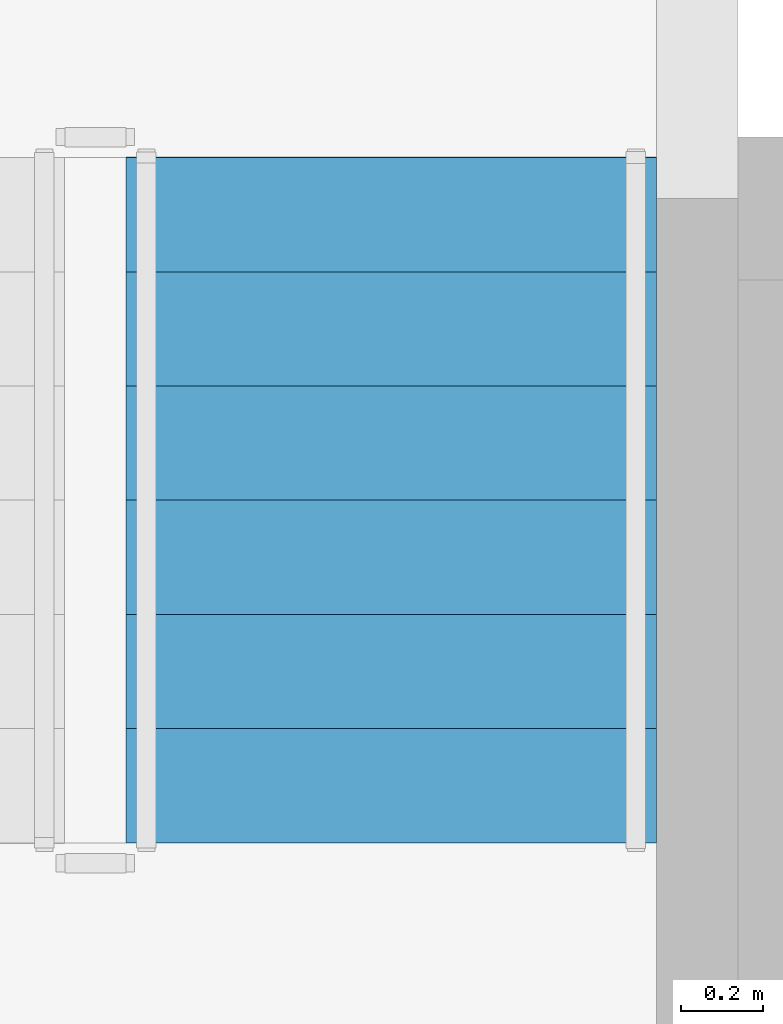
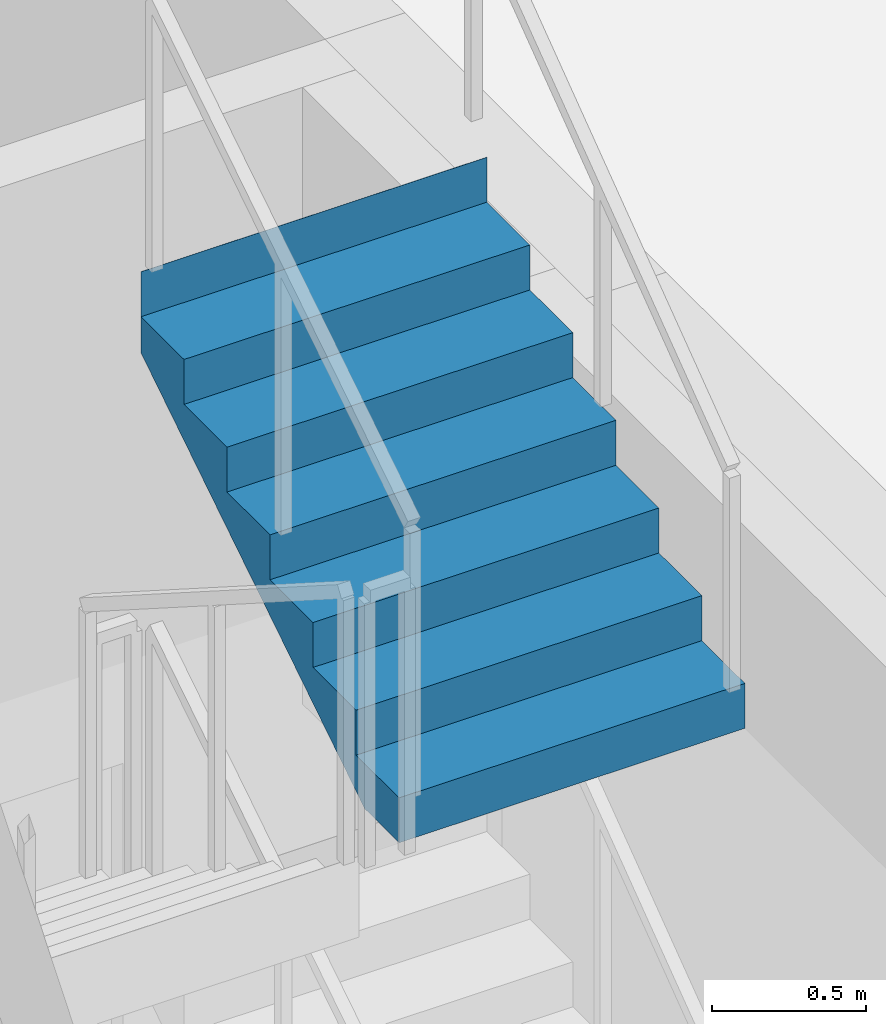
# One storey, part 47 of 57: 1 stair flight, 1 element without a shape of its own.
"""IFC4 building model written with IfcOpenShell, lengths in metres."""

from ifc_helpers import new_model, si_unit, direction, frame, origin, place, context, subcontext, project, spatial, triangles, material, type_object, element, aggregate, save


model = new_model("IFC4")

# Units and contexts
model_context = context("Model", 3, precision=1e-05, world=origin(), true_north=direction((0.0, 1.0)))
body_context = subcontext(model_context, "Body", "Model", "MODEL_VIEW")
ifc_project = project(units=[si_unit("LENGTHUNIT", "METRE"), si_unit("AREAUNIT", "SQUARE_METRE"), si_unit("VOLUMEUNIT", "CUBIC_METRE"), si_unit("PLANEANGLEUNIT", "RADIAN"), si_unit("MASSUNIT", "GRAM", prefix="KILO")], contexts=[model_context])

# Site, building, storey
site_placement = place(None, origin())
site = spatial("IfcSite", under=ifc_project, at=site_placement, CompositionType="ELEMENT")
building_placement = place(site_placement, origin())
building = spatial("IfcBuilding", under=site, at=building_placement, Name="Beryl Residences", CompositionType="ELEMENT")
storey_placement = place(building_placement, origin())
storey = spatial("IfcBuildingStorey", under=building, at=storey_placement, Name="L00", CompositionType="ELEMENT", Elevation=0.0)

# Stair, stair flight
ifc_material_1 = material(Name="Concrete C40/50", Category="concrete")
stair_type = type_object("IfcStairType", Name="ST1 protected exit stair, half-turn, 1300 mm flights", PredefinedType="HALF_TURN_STAIR", material=ifc_material_1)
stair_placement = place(storey_placement, origin())
stair = element("IfcStair", 1, at=stair_placement, inside=storey, type_object=stair_type, Name="L00 Podium exit stair 5", PredefinedType="HALF_TURN_STAIR")
ifc_material_2 = material(Name="Concrete C40/50", Category="concrete")
stair_flight_type = type_object("IfcStairFlightType", Name="SF1 stair flight 1300 mm", PredefinedType="STRAIGHT", material=ifc_material_2)
stair_flight_placement = place(storey_placement, frame((46.85009765625, 22.02001953125, 3.75), z_axis=(0.0, 0.0, 1.0), x_axis=(0.0, 1.0, 0.0)))
stair_flight = element("IfcStairFlight", 2, at=stair_flight_placement, type_object=stair_flight_type, Name="PS-5 flight 4", NumberOfRisers=7, NumberOfTreads=6, PredefinedType="STRAIGHT", RiserHeight=0.178571429, TreadLength=0.28, context=body_context, shape_type="Tessellation", body=[
    triangles([(0.0, -0.64990234375, 0.0), (0.0, -0.324951171875, 0.0), (0.0, 0.0, 0.0), (0.0, 0.324951171875, 0.0), (0.0, 0.64990234375, 0.0), (0.0, -0.64990234375, 0.178466796875), (0.0, -0.324951171875, 0.178466796875), (0.0, 0.0, 0.178466796875), (0.0, 0.324951171875, 0.178466796875), (0.0, 0.64990234375, 0.178466796875), (0.280029296875, -0.64990234375, 0.178466796875), (0.280029296875, -0.324951171875, 0.178466796875), (0.280029296875, 0.0, 0.178466796875), (0.280029296875, 0.324951171875, 0.178466796875), (0.280029296875, 0.64990234375, 0.178466796875), (0.280029296875, -0.64990234375, 0.357177734375), (0.280029296875, -0.324951171875, 0.357177734375), (0.280029296875, 0.0, 0.357177734375), (0.280029296875, 0.324951171875, 0.357177734375), (0.280029296875, 0.64990234375, 0.357177734375), (0.56005859375, -0.64990234375, 0.357177734375), (0.56005859375, -0.324951171875, 0.357177734375), (0.56005859375, 0.0, 0.357177734375), (0.56005859375, 0.324951171875, 0.357177734375), (0.56005859375, 0.64990234375, 0.357177734375), (0.56005859375, -0.64990234375, 0.53564453125), (0.56005859375, -0.324951171875, 0.53564453125), (0.56005859375, 0.0, 0.53564453125), (0.56005859375, 0.324951171875, 0.53564453125), (0.56005859375, 0.64990234375, 0.53564453125), (0.840087890625, -0.64990234375, 0.53564453125), (0.840087890625, -0.324951171875, 0.53564453125), (0.840087890625, 0.0, 0.53564453125), (0.840087890625, 0.324951171875, 0.53564453125), (0.840087890625, 0.64990234375, 0.53564453125), (0.840087890625, -0.64990234375, 0.71435546875), (0.840087890625, -0.324951171875, 0.71435546875), (0.840087890625, 0.0, 0.71435546875), (0.840087890625, 0.324951171875, 0.71435546875), (0.840087890625, 0.64990234375, 0.71435546875), (1.1201171875, -0.64990234375, 0.71435546875), (1.1201171875, -0.324951171875, 0.71435546875), (1.1201171875, 0.0, 0.71435546875), (1.1201171875, 0.324951171875, 0.71435546875), (1.1201171875, 0.64990234375, 0.71435546875), (1.1201171875, -0.64990234375, 0.892822265625), (1.1201171875, -0.324951171875, 0.892822265625), (1.1201171875, 0.0, 0.892822265625), (1.1201171875, 0.324951171875, 0.892822265625), (1.1201171875, 0.64990234375, 0.892822265625), (1.39990234375, -0.64990234375, 0.892822265625), (1.39990234375, -0.324951171875, 0.892822265625), (1.39990234375, 0.0, 0.892822265625), (1.39990234375, 0.324951171875, 0.892822265625), (1.39990234375, 0.64990234375, 0.892822265625), (1.39990234375, -0.64990234375, 1.071533203125), (1.39990234375, -0.324951171875, 1.071533203125), (1.39990234375, 0.0, 1.071533203125), (1.39990234375, 0.324951171875, 1.071533203125), (1.39990234375, 0.64990234375, 1.071533203125), (1.679931640625, -0.64990234375, 1.071533203125), (1.679931640625, -0.324951171875, 1.071533203125), (1.679931640625, 0.0, 1.071533203125), (1.679931640625, 0.324951171875, 1.071533203125), (1.679931640625, 0.64990234375, 1.071533203125), (1.679931640625, -0.64990234375, 1.25), (1.679931640625, -0.324951171875, 1.25), (1.679931640625, 0.0, 1.25), (1.679931640625, 0.324951171875, 1.25), (1.679931640625, 0.64990234375, 1.25), (1.680908203125, -0.64990234375, 1.25), (1.680908203125, -0.324951171875, 1.25), (1.680908203125, 0.0, 1.25), (1.680908203125, 0.324951171875, 1.25), (1.680908203125, 0.64990234375, 1.25), (1.680908203125, -0.64990234375, 0.928955078125), (1.680908203125, -0.324951171875, 0.928955078125), (1.680908203125, 0.0, 0.928955078125), (1.680908203125, 0.324951171875, 0.928955078125), (1.680908203125, 0.64990234375, 0.928955078125), (0.224365234375, -0.64990234375, 0.0), (0.224365234375, -0.324951171875, 0.0), (0.224365234375, 0.0, 0.0), (0.224365234375, 0.324951171875, 0.0), (0.224365234375, 0.64990234375, 0.0)], [[1, 6, 7], [1, 7, 2], [2, 7, 8], [2, 8, 3], [3, 8, 9], [3, 9, 4], [4, 9, 10], [4, 10, 5], [6, 11, 12], [6, 12, 7], [7, 12, 13], [7, 13, 8], [8, 13, 14], [8, 14, 9], [9, 14, 15], [9, 15, 10], [11, 16, 17], [11, 17, 12], [12, 17, 18], [12, 18, 13], [13, 18, 19], [13, 19, 14], [14, 19, 20], [14, 20, 15], [16, 21, 22], [16, 22, 17], [17, 22, 23], [17, 23, 18], [18, 23, 24], [18, 24, 19], [19, 24, 25], [19, 25, 20], [21, 26, 27], [21, 27, 22], [22, 27, 28], [22, 28, 23], [23, 28, 29], [23, 29, 24], [24, 29, 30], [24, 30, 25], [26, 31, 32], [26, 32, 27], [27, 32, 33], [27, 33, 28], [28, 33, 34], [28, 34, 29], [29, 34, 35], [29, 35, 30], [31, 36, 37], [31, 37, 32], [32, 37, 38], [32, 38, 33], [33, 38, 39], [33, 39, 34], [34, 39, 40], [34, 40, 35], [36, 41, 42], [36, 42, 37], [37, 42, 43], [37, 43, 38], [38, 43, 44], [38, 44, 39], [39, 44, 45], [39, 45, 40], [41, 46, 47], [41, 47, 42], [42, 47, 48], [42, 48, 43], [43, 48, 49], [43, 49, 44], [44, 49, 50], [44, 50, 45], [46, 51, 52], [46, 52, 47], [47, 52, 53], [47, 53, 48], [48, 53, 54], [48, 54, 49], [49, 54, 55], [49, 55, 50], [51, 56, 57], [51, 57, 52], [52, 57, 58], [52, 58, 53], [53, 58, 59], [53, 59, 54], [54, 59, 60], [54, 60, 55], [56, 61, 62], [56, 62, 57], [57, 62, 63], [57, 63, 58], [58, 63, 64], [58, 64, 59], [59, 64, 65], [59, 65, 60], [61, 66, 67], [61, 67, 62], [62, 67, 68], [62, 68, 63], [63, 68, 69], [63, 69, 64], [64, 69, 70], [64, 70, 65], [66, 71, 72], [66, 72, 67], [67, 72, 73], [67, 73, 68], [68, 73, 74], [68, 74, 69], [69, 74, 75], [69, 75, 70], [71, 76, 77], [71, 77, 72], [72, 77, 78], [72, 78, 73], [73, 78, 79], [73, 79, 74], [74, 79, 80], [74, 80, 75], [76, 81, 82], [76, 82, 77], [77, 82, 83], [77, 83, 78], [78, 83, 84], [78, 84, 79], [79, 84, 85], [79, 85, 80], [81, 1, 2], [81, 2, 82], [82, 2, 3], [82, 3, 83], [83, 3, 4], [83, 4, 84], [84, 4, 5], [84, 5, 85], [1, 81, 76], [5, 80, 85], [76, 71, 66], [80, 70, 75], [76, 66, 61], [80, 65, 70], [76, 61, 56], [80, 60, 65], [76, 56, 51], [80, 55, 60], [51, 46, 41], [55, 45, 50], [76, 51, 41], [80, 45, 55], [41, 36, 31], [45, 35, 40], [76, 41, 31], [80, 35, 45], [31, 26, 21], [35, 25, 30], [76, 31, 21], [80, 25, 35], [21, 16, 11], [25, 15, 20], [76, 21, 11], [80, 15, 25], [1, 76, 11], [5, 15, 80], [11, 6, 1], [15, 5, 10]], closed=True),
])
aggregate(stair, [stair_flight])

save(model, "model.ifc")
